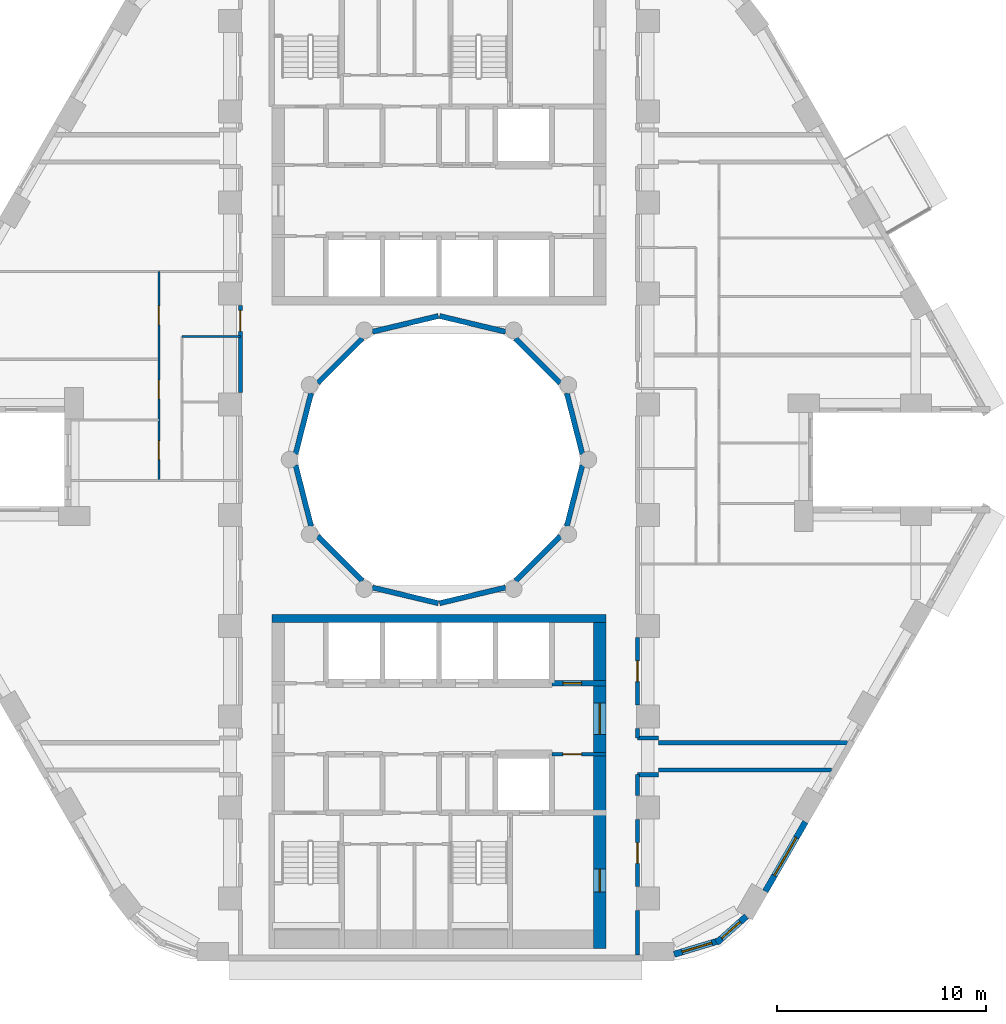
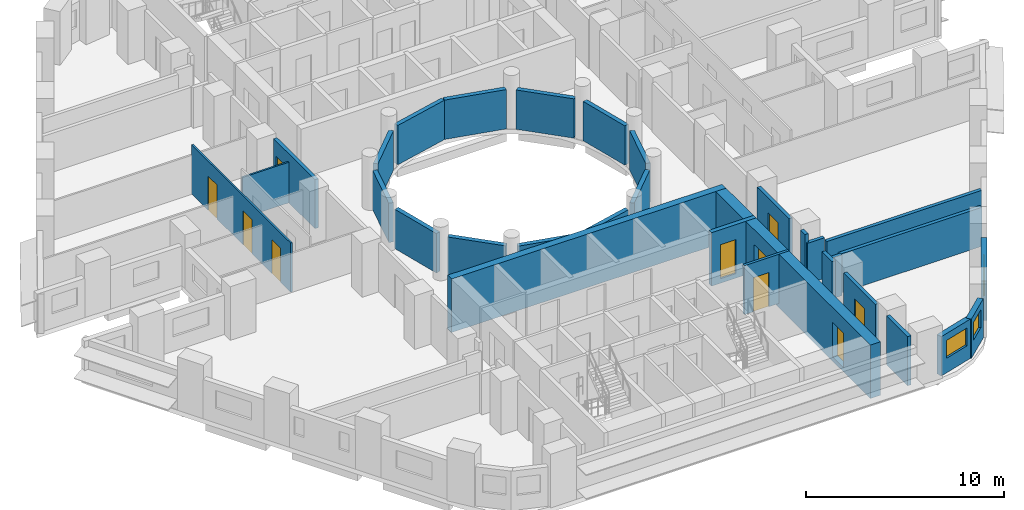
# One storey, part 5 of 13: 31 walls, 10 doors, 3 windows, 13 openings.
"""IFC4 building model written with IfcOpenShell, lengths in metres."""

from ifc_helpers import new_model, si_unit, direction, frame, frame_2d, origin, place, context, subcontext, project, spatial, rectangle, extrude, material, layer, layer_set, type_object, element, fill, save


model = new_model("IFC4")

# Units and contexts
model_context = context("Model", 3, precision=1e-05, world=origin(), true_north=direction((0.0, 1.0)))
body_context = subcontext(model_context, "Body", "Model", "MODEL_VIEW")
ifc_project = project(units=[si_unit("LENGTHUNIT", "METRE"), si_unit("AREAUNIT", "SQUARE_METRE"), si_unit("VOLUMEUNIT", "CUBIC_METRE"), si_unit("PLANEANGLEUNIT", "RADIAN"), si_unit("MASSUNIT", "GRAM", prefix="KILO")], contexts=[model_context])

# Site, building, storey
site_placement = place(None, origin())
site = spatial("IfcSite", under=ifc_project, at=site_placement, CompositionType="ELEMENT")
building_placement = place(site_placement, origin())
building = spatial("IfcBuilding", under=site, at=building_placement, Name="Nakaniwa Court", CompositionType="ELEMENT")
storey_placement = place(building_placement, frame((0.0, 0.0, 64.5)))
storey = spatial("IfcBuildingStorey", under=building, at=storey_placement, Name="L17", CompositionType="ELEMENT", Elevation=64.5)

# Wall
ifc_material_1 = material(Name="Acoustic double stud partition")
ifc_layer_1 = layer(ifc_material_1, 0.199951171875)
ifc_layer_set_1 = layer_set([ifc_layer_1], Name="Acoustic double stud partition")
wall_type_1 = type_object("IfcWallType", Name="Acoustic double stud partition 200", PredefinedType="PARTITIONING", material=ifc_layer_set_1)
wall_1_placement = place(storey_placement, frame((89.5, 56.300048828125, 0.0), z_axis=(0.0, 0.0, 1.0), x_axis=(0.0, 1.0, 0.0)))
element("IfcWall", 1, at=wall_1_placement, inside=storey, type_object=wall_type_1, Name="Partition PW-071", PredefinedType="PARTITIONING", context=body_context, shape_type="SweptSolid", body=[
    extrude(rectangle(XDim=2.133056640625, YDim=0.199951171875, at=frame_2d((1.06640625, 0.0))), origin(), (0.0, 0.0, 1.0), 3.02490234375),
])

# Wall, opening, door
wall_2_placement = place(storey_placement, frame((89.5, 62.782958984375, 0.0), z_axis=(0.0, 0.0, 1.0), x_axis=(0.0, -1.0, 0.0)))
wall_2 = element("IfcWall", 2, at=wall_2_placement, inside=storey, type_object=wall_type_1, Name="Partition PW-072", PredefinedType="PARTITIONING", context=body_context, shape_type="SweptSolid", body=[
    extrude(rectangle(XDim=3.216064453125, YDim=0.199951171875, at=frame_2d((1.60791015625, 0.0))), origin(), (0.0, 0.0, 1.0), 3.02490234375),
])
opening_1_placement = place(wall_2_placement, frame((1.10791015625, 0.0, 0.0)))
opening_1 = element("IfcOpeningElement", 3, at=opening_1_placement, cuts=wall_2, Name="Opening D-02-01", PredefinedType="OPENING", context=body_context, shape_type="SweptSolid", body=[
    extrude(rectangle(XDim=1.0, YDim=2.10009765625, at=frame_2d((0.5, 1.050048828125))), frame((0.0, 0.10986328125, 0.0), z_axis=(0.0, -1.0, 0.0), x_axis=(1.0, 0.0, 0.0)), (0.0, 0.0, 1.0), 0.219970703125),
])
ifc_material_2 = material(Name="Solid core timber door set, black veneer", Category="wood")
door_type_1 = type_object("IfcDoorType", Name="Internal door 1000", OperationType="NOTDEFINED", PredefinedType="DOOR", material=ifc_material_2)
door_1_placement = place(opening_1_placement, origin())
door_1 = element("IfcDoor", 4, at=door_1_placement, inside=storey, type_object=door_type_1, Name="Door D-02-01 L17-029", OperationType="SINGLE_SWING_RIGHT", OverallHeight=2.10009765625, OverallWidth=1.0, PredefinedType="DOOR", context=body_context, shape_type="SweptSolid", body=[
    extrude(rectangle(XDim=1.0, YDim=2.10009765625, at=frame_2d((0.5, 1.050048828125))), frame((0.0, 0.02490234375, 0.0), z_axis=(0.0, -1.0, 0.0), x_axis=(1.0, 0.0, 0.0)), (0.0, 0.0, 1.0), 0.050048828125),
])
fill(opening_1, door_1)

# Walls
wall_3_placement = place(storey_placement, frame((89.5, 63.9169921875, 0.0), z_axis=(0.0, 0.0, 1.0), x_axis=(0.0, 1.0, 0.0)))
element("IfcWall", 5, at=wall_3_placement, inside=storey, type_object=wall_type_1, Name="Partition PW-073", PredefinedType="PARTITIONING", context=body_context, shape_type="SweptSolid", body=[
    extrude(rectangle(XDim=1.010986328125, YDim=0.199951171875, at=frame_2d((0.50537109375, 0.0))), origin(), (0.0, 0.0, 1.0), 3.02490234375),
])
wall_4_placement = place(storey_placement, frame((89.5, 66.672119140625, 0.0), z_axis=(0.0, 0.0, 1.0), x_axis=(0.0, 1.0, 0.0)))
element("IfcWall", 6, at=wall_4_placement, inside=storey, type_object=wall_type_1, Name="Partition PW-074", PredefinedType="PARTITIONING", context=body_context, shape_type="SweptSolid", body=[
    extrude(rectangle(XDim=0.4609375, YDim=0.199951171875, at=frame_2d((0.23046875, 0.0))), origin(), (0.0, 0.0, 1.0), 3.02490234375),
])

# Wall, opening, door
wall_5_placement = place(storey_placement, frame((89.5, 71.48291015625, 0.0), z_axis=(0.0, 0.0, 1.0), x_axis=(0.0, -1.0, 0.0)))
wall_5 = element("IfcWall", 7, at=wall_5_placement, inside=storey, type_object=wall_type_1, Name="Partition PW-075", PredefinedType="PARTITIONING", context=body_context, shape_type="SweptSolid", body=[
    extrude(rectangle(XDim=3.2158203125, YDim=0.199951171875, at=frame_2d((1.60791015625, 0.0))), origin(), (0.0, 0.0, 1.0), 3.02490234375),
])
opening_2_placement = place(wall_5_placement, frame((1.10791015625, 0.0, 0.0)))
opening_2 = element("IfcOpeningElement", 8, at=opening_2_placement, cuts=wall_5, Name="Opening D-02-02", PredefinedType="OPENING", context=body_context, shape_type="SweptSolid", body=[
    extrude(rectangle(XDim=1.0, YDim=2.10009765625, at=frame_2d((0.5, 1.050048828125))), frame((0.0, 0.10986328125, 0.0), z_axis=(0.0, -1.0, 0.0), x_axis=(1.0, 0.0, 0.0)), (0.0, 0.0, 1.0), 0.219970703125),
])
door_2_placement = place(opening_2_placement, origin())
door_2 = element("IfcDoor", 9, at=door_2_placement, inside=storey, type_object=door_type_1, Name="Door D-02-02 L17-030", OperationType="SINGLE_SWING_LEFT", OverallHeight=2.10009765625, OverallWidth=1.0, PredefinedType="DOOR", context=body_context, shape_type="SweptSolid", body=[
    extrude(rectangle(XDim=1.0, YDim=2.10009765625, at=frame_2d((0.5, 1.050048828125))), frame((0.0, 0.02490234375, 0.0), z_axis=(0.0, -1.0, 0.0), x_axis=(1.0, 0.0, 0.0)), (0.0, 0.0, 1.0), 0.050048828125),
])
fill(opening_2, door_2)

# Walls
wall_6_placement = place(storey_placement, frame((90.5, 65.14990234375, 0.0), z_axis=(0.0, 0.0, 1.0), x_axis=(1.0, 0.0, 0.0)))
element("IfcWall", 10, at=wall_6_placement, inside=storey, type_object=wall_type_1, Name="Partition PW-093", PredefinedType="PARTITIONING", context=body_context, shape_type="SweptSolid", body=[
    extrude(rectangle(XDim=8.292724609375, YDim=0.199951171875, at=frame_2d((4.146484375, 0.0))), origin(), (0.0, 0.0, 1.0), 2.405029296875),
])
for number, where, z_axis, x_axis, name in (
    (11, (89.5, 64.925048828125, 0.0), (0.0, 0.0, 1.0), (1.0, 0.0, 0.0), "Partition PW-095"),
    (12, (89.5, 66.675048828125, 0.0), (0.0, 0.0, 1.0), (1.0, 0.0, 0.0), "Partition PW-097"),
):
    element("IfcWall", number, at=place(storey_placement, frame(where, z_axis=z_axis, x_axis=x_axis)), inside=storey, type_object=wall_type_1, Name=name, PredefinedType="PARTITIONING", context=body_context, shape_type="SweptSolid", body=[
        extrude(rectangle(XDim=1.0, YDim=0.199951171875, at=frame_2d((0.5, 0.0))), origin(), (0.0, 0.0, 1.0), 2.5048828125),
    ])
wall_7_placement = place(storey_placement, frame((90.5, 66.449951171875, 0.0), z_axis=(0.0, 0.0, 1.0), x_axis=(1.0, 0.0, 0.0)))
element("IfcWall", 13, at=wall_7_placement, inside=storey, type_object=wall_type_1, Name="Partition PW-099", PredefinedType="PARTITIONING", context=body_context, shape_type="SweptSolid", body=[
    extrude(rectangle(XDim=9.043212890625, YDim=0.199951171875, at=frame_2d((4.521484375, 0.0))), origin(), (0.0, 0.0, 1.0), 2.405029296875),
])

# Wall, opening, door
wall_8_placement = place(storey_placement, frame((70.5, 83.217041015625, 0.0), z_axis=(0.0, 0.0, 1.0), x_axis=(0.0, 1.0, 0.0)))
wall_8 = element("IfcWall", 14, at=wall_8_placement, inside=storey, type_object=wall_type_1, Name="Partition PW-107", PredefinedType="PARTITIONING", context=body_context, shape_type="SweptSolid", body=[
    extrude(rectangle(XDim=4.166015625, YDim=0.199951171875, at=frame_2d((2.0830078125, 0.0))), origin(), (0.0, 0.0, 1.0), 3.02490234375),
])
opening_3_placement = place(wall_8_placement, frame((2.923095703125, 0.0, 0.0)))
opening_3 = element("IfcOpeningElement", 15, at=opening_3_placement, cuts=wall_8, Name="Opening D-01-03", PredefinedType="OPENING", context=body_context, shape_type="SweptSolid", body=[
    extrude(rectangle(XDim=1.0, YDim=2.10009765625, at=frame_2d((0.5, 1.050048828125))), frame((0.0, 0.10986328125, 0.0), z_axis=(0.0, -1.0, 0.0), x_axis=(1.0, 0.0, 0.0)), (0.0, 0.0, 1.0), 0.219970703125),
])
door_type_2 = type_object("IfcDoorType", Name="Flat entrance door 1000", OperationType="NOTDEFINED", PredefinedType="DOOR", material=ifc_material_2)
door_3_placement = place(opening_3_placement, origin())
door_3 = element("IfcDoor", 16, at=door_3_placement, inside=storey, type_object=door_type_2, Name="Door D-01-03 L17-046", OperationType="SINGLE_SWING_LEFT", OverallHeight=2.10009765625, OverallWidth=1.0, PredefinedType="DOOR", context=body_context, shape_type="SweptSolid", body=[
    extrude(rectangle(XDim=1.0, YDim=2.10009765625, at=frame_2d((0.5, 1.050048828125))), frame((0.0, 0.02490234375, 0.0), z_axis=(0.0, -1.0, 0.0), x_axis=(1.0, 0.0, 0.0)), (0.0, 0.0, 1.0), 0.050048828125),
])
fill(opening_3, door_3)

# Wall, opening, window
ifc_material_3 = material(Name="Charcoal ceramic cladding")
ifc_layer_2 = layer(ifc_material_3, 0.02, Name="Ceramic cladding")
ifc_material_4 = material(Name="Ventilated air cavity")
ifc_layer_3 = layer(ifc_material_4, 0.04, ventilated=True, Name="Ventilated cavity")
ifc_material_5 = material(Name="Mineral wool insulation")
ifc_layer_4 = layer(ifc_material_5, 0.1, Name="Insulation")
ifc_material_6 = material(Name="Cement bonded sheathing board")
ifc_layer_5 = layer(ifc_material_6, 0.012, Name="Sheathing")
ifc_material_7 = material(Name="Cold-formed galvanised stud frame with mineral wool infill")
ifc_layer_6 = layer(ifc_material_7, 0.1, Name="Stud frame")
ifc_material_8 = material(Name="Fire-rated gypsum plasterboard lining")
ifc_layer_7 = layer(ifc_material_8, 0.028, Name="Lining")
ifc_layer_set_2 = layer_set([ifc_layer_2, ifc_layer_3, ifc_layer_4, ifc_layer_5, ifc_layer_6, ifc_layer_7], Name="Charcoal ceramic faced external wall system")
wall_type_2 = type_object("IfcWallType", Name="Black ceramic faced external wall 300", PredefinedType="SOLIDWALL", material=ifc_layer_set_2)
wall_9_placement = place(storey_placement, frame((91.25341796875, 56.331298828125, 0.0), z_axis=(0.0, 0.0, 1.0), x_axis=(0.957433631901, 0.288653495569, 0.0)))
wall_9 = element("IfcWall", 17, at=wall_9_placement, inside=storey, type_object=wall_type_2, Name="L17 external wall 27", PredefinedType="SOLIDWALL", context=body_context, shape_type="SweptSolid", body=[
    extrude(rectangle(XDim=2.212646484375, YDim=0.300048828125, at=frame_2d((1.1064453125, 0.0))), origin(), (0.0, 0.0, 1.0), 2.425048828125),
])
opening_4_placement = place(wall_9_placement, frame((0.394287109375, 0.0, 0.89990234375)))
opening_4 = element("IfcOpeningElement", 18, at=opening_4_placement, cuts=wall_9, Name="Opening W5.29", PredefinedType="OPENING", context=body_context, shape_type="SweptSolid", body=[
    extrude(rectangle(XDim=1.5, YDim=1.10009765625, at=frame_2d((0.75, 0.550048828125))), frame((0.0, 0.159912109375, 0.0), z_axis=(0.0, -1.0, 0.0), x_axis=(1.0, 0.0, 0.0)), (0.0, 0.0, 1.0), 0.320068359375),
])
ifc_material_9 = material(Name="Black anodised aluminium frame with dark low-E laminated double glazing", Category="aluminium")
window_type_1 = type_object("IfcWindowType", Name="Dark glass window 1500x1100 sill 900", PartitioningType="SINGLE_PANEL", PredefinedType="WINDOW", material=ifc_material_9)
window_1_placement = place(opening_4_placement, origin())
window_1 = element("IfcWindow", 19, at=window_1_placement, inside=storey, type_object=window_type_1, Name="L17 habitable room window 27-0", OverallHeight=1.10009765625, OverallWidth=1.5, PartitioningType="SINGLE_PANEL", PredefinedType="WINDOW", context=body_context, shape_type="SweptSolid", body=[
    extrude(rectangle(XDim=1.5, YDim=1.10009765625, at=frame_2d((0.75, 0.550048828125))), frame((0.0, 0.030029296875, 0.0), z_axis=(0.0, -1.0, 0.0), x_axis=(1.0, 0.0, 0.0)), (0.0, 0.0, 1.0), 0.06005859375),
])
fill(opening_4, window_1)

wall_10_placement = place(storey_placement, frame((93.288818359375, 56.882568359375, 0.0), z_axis=(0.0, 0.0, 1.0), x_axis=(0.746941556212, 0.664889698825, 0.0)))
wall_10 = element("IfcWall", 20, at=wall_10_placement, inside=storey, type_object=wall_type_2, Name="L17 external wall 28", PredefinedType="SOLIDWALL", context=body_context, shape_type="SweptSolid", body=[
    extrude(rectangle(XDim=1.9013671875, YDim=0.300048828125, at=frame_2d((0.95068359375, 0.0))), origin(), (0.0, 0.0, 1.0), 2.425048828125),
])
opening_5_placement = place(wall_10_placement, frame((0.31005859375, 0.0, 0.89990234375)))
opening_5 = element("IfcOpeningElement", 21, at=opening_5_placement, cuts=wall_10, Name="Opening W6.30", PredefinedType="OPENING", context=body_context, shape_type="SweptSolid", body=[
    extrude(rectangle(XDim=1.199951171875, YDim=1.10009765625, at=frame_2d((0.60009765625, 0.550048828125))), frame((0.0, 0.159912109375, 0.0), z_axis=(0.0, -1.0, 0.0), x_axis=(1.0, 0.0, 0.0)), (0.0, 0.0, 1.0), 0.320068359375),
])
window_type_2 = type_object("IfcWindowType", Name="Dark glass window 1200x1100 sill 900", PartitioningType="SINGLE_PANEL", PredefinedType="WINDOW", material=ifc_material_9)
window_2_placement = place(opening_5_placement, origin())
window_2 = element("IfcWindow", 22, at=window_2_placement, inside=storey, type_object=window_type_2, Name="L17 habitable room window 28-0", OverallHeight=1.10009765625, OverallWidth=1.199951171875, PartitioningType="SINGLE_PANEL", PredefinedType="WINDOW", context=body_context, shape_type="SweptSolid", body=[
    extrude(rectangle(XDim=1.199951171875, YDim=1.10009765625, at=frame_2d((0.60009765625, 0.550048828125))), frame((0.0, 0.030029296875, 0.0), z_axis=(0.0, -1.0, 0.0), x_axis=(1.0, 0.0, 0.0)), (0.0, 0.0, 1.0), 0.06005859375),
])
fill(opening_5, window_2)

wall_11_placement = place(storey_placement, frame((95.615234375, 59.346435546875, 0.0), z_axis=(0.0, 0.0, 1.0), x_axis=(0.499974163209, 0.866040320149, 0.0)))
wall_11 = element("IfcWall", 23, at=wall_11_placement, inside=storey, type_object=wall_type_2, Name="L17 external wall 29", PredefinedType="SOLIDWALL", context=body_context, shape_type="SweptSolid", body=[
    extrude(rectangle(XDim=3.834228515625, YDim=0.300048828125, at=frame_2d((1.9169921875, 0.0))), origin(), (0.0, 0.0, 1.0), 2.425048828125),
])
opening_6_placement = place(wall_11_placement, frame((0.866943359375, 0.0, 0.89990234375)))
opening_6 = element("IfcOpeningElement", 24, at=opening_6_placement, cuts=wall_11, Name="Opening W7.31", PredefinedType="OPENING", context=body_context, shape_type="SweptSolid", body=[
    extrude(rectangle(XDim=2.10009765625, YDim=1.10009765625, at=frame_2d((1.050048828125, 0.550048828125))), frame((0.0, 0.159912109375, 0.0), z_axis=(0.0, -1.0, 0.0), x_axis=(1.0, 0.0, 0.0)), (0.0, 0.0, 1.0), 0.320068359375),
])
window_type_3 = type_object("IfcWindowType", Name="Dark glass window 2100x1100 sill 900", PartitioningType="SINGLE_PANEL", PredefinedType="WINDOW", material=ifc_material_9)
window_3_placement = place(opening_6_placement, origin())
window_3 = element("IfcWindow", 25, at=window_3_placement, inside=storey, type_object=window_type_3, Name="L17 habitable room window 29-0", OverallHeight=1.10009765625, OverallWidth=2.10009765625, PartitioningType="SINGLE_PANEL", PredefinedType="WINDOW", context=body_context, shape_type="SweptSolid", body=[
    extrude(rectangle(XDim=2.10009765625, YDim=1.10009765625, at=frame_2d((1.050048828125, 0.550048828125))), frame((0.0, 0.030029296875, 0.0), z_axis=(0.0, -1.0, 0.0), x_axis=(1.0, 0.0, 0.0)), (0.0, 0.0, 1.0), 0.06005859375),
])
fill(opening_6, window_3)

# Wall, opening, door
ifc_material_10 = material(Name="Blockwork partition", Category="masonry")
ifc_layer_8 = layer(ifc_material_10, 0.14990234375)
ifc_layer_set_3 = layer_set([ifc_layer_8], Name="Blockwork partition")
wall_type_3 = type_object("IfcWallType", Name="Blockwork partition 150", PredefinedType="PARTITIONING", material=ifc_layer_set_3)
wall_12_placement = place(storey_placement, frame((88.0, 65.89990234375, 0.0), z_axis=(0.0, 0.0, 1.0), x_axis=(-1.0, 0.0, 0.0)))
wall_12 = element("IfcWall", 26, at=wall_12_placement, inside=storey, type_object=wall_type_3, Name="Partition PW-053", PredefinedType="PARTITIONING", context=body_context, shape_type="SweptSolid", body=[
    extrude(rectangle(XDim=2.60302734375, YDim=0.14990234375, at=frame_2d((1.301513671875, 0.0))), origin(), (0.0, 0.0, 1.0), 3.02490234375),
])
opening_7_placement = place(wall_12_placement, frame((1.175048828125, 0.0, 0.0)))
opening_7 = element("IfcOpeningElement", 27, at=opening_7_placement, cuts=wall_12, Name="Opening D-05-15", PredefinedType="OPENING", context=body_context, shape_type="SweptSolid", body=[
    extrude(rectangle(XDim=0.89990234375, YDim=2.10009765625, at=frame_2d((0.449951171875, 1.050048828125))), frame((0.0, 0.0849609375, 0.0), z_axis=(0.0, -1.0, 0.0), x_axis=(1.0, 0.0, 0.0)), (0.0, 0.0, 1.0), 0.169921875),
])
ifc_material_11 = material(Name="Fire rated steel door set", Category="steel")
door_type_3 = type_object("IfcDoorType", Name="Service room door 900", OperationType="NOTDEFINED", PredefinedType="DOOR", material=ifc_material_11)
door_4_placement = place(opening_7_placement, origin())
door_4 = element("IfcDoor", 28, at=door_4_placement, inside=storey, type_object=door_type_3, Name="Door D-05-15 L17-022", OperationType="SINGLE_SWING_LEFT", OverallHeight=2.10009765625, OverallWidth=0.89990234375, PredefinedType="DOOR", context=body_context, shape_type="SweptSolid", body=[
    extrude(rectangle(XDim=0.89990234375, YDim=2.10009765625, at=frame_2d((0.449951171875, 1.050048828125))), frame((0.0, 0.02490234375, 0.0), z_axis=(0.0, -1.0, 0.0), x_axis=(1.0, 0.0, 0.0)), (0.0, 0.0, 1.0), 0.050048828125),
])
fill(opening_7, door_4)

# Walls
ifc_layer_9 = layer(ifc_material_3, 0.02, Name="Ceramic cladding")
ifc_layer_10 = layer(ifc_material_4, 0.04, ventilated=True, Name="Ventilated cavity")
ifc_layer_11 = layer(ifc_material_5, 0.075, Name="Insulation")
ifc_layer_12 = layer(ifc_material_6, 0.012, Name="Sheathing")
ifc_layer_13 = layer(ifc_material_7, 0.075, Name="Stud frame")
ifc_layer_14 = layer(ifc_material_8, 0.028, Name="Lining")
ifc_layer_set_4 = layer_set([ifc_layer_9, ifc_layer_10, ifc_layer_11, ifc_layer_12, ifc_layer_13, ifc_layer_14], Name="Charcoal ceramic faced external wall system")
wall_type_4 = type_object("IfcWallType", Name="Charcoal ceramic faced well wall 250", PredefinedType="SOLIDWALL", material=ifc_layer_set_4)
wall_13_placement = place(storey_placement, frame((86.8603515625, 79.72998046875, 0.0), z_axis=(0.0, 0.0, 1.0), x_axis=(-0.247055971283, -0.969001211069, 0.0)))
element("IfcWall", 29, at=wall_13_placement, inside=storey, type_object=wall_type_4, Name="L17 external wall 36", PredefinedType="SOLIDWALL", context=body_context, shape_type="SweptSolid", body=[
    extrude(rectangle(XDim=3.010009765625, YDim=0.25, at=frame_2d((1.5048828125, 0.0))), origin(), (0.0, 0.0, 1.0), 2.425048828125),
])
wall_14_placement = place(storey_placement, frame((85.8056640625, 76.339111328125, 0.0), z_axis=(0.0, 0.0, 1.0), x_axis=(-0.707106781187, -0.707106781187, 0.0)))
element("IfcWall", 30, at=wall_14_placement, inside=storey, type_object=wall_type_4, Name="L17 external wall 37", PredefinedType="SOLIDWALL", context=body_context, shape_type="SweptSolid", body=[
    extrude(rectangle(XDim=3.033203125, YDim=0.25, at=frame_2d((1.5166015625, 0.0))), origin(), (0.0, 0.0, 1.0), 2.425048828125),
])
for number, where, z_axis, x_axis, name in (
    (31, (83.186279296875, 73.880615234375, 0.0), (0.0, 0.0, 1.0), (-0.972773113459, -0.231759508395, 0.0), "L17 external wall 38"),
    (32, (79.970947265625, 73.12841796875, 0.0), (0.0, 0.0, 1.0), (-0.972773113459, 0.231759508395, 0.0), "L17 external wall 39"),
):
    element("IfcWall", number, at=place(storey_placement, frame(where, z_axis=z_axis, x_axis=x_axis)), inside=storey, type_object=wall_type_4, Name=name, PredefinedType="SOLIDWALL", context=body_context, shape_type="SweptSolid", body=[
        extrude(rectangle(XDim=3.24560546875, YDim=0.25, at=frame_2d((1.622802734375, 0.0))), origin(), (0.0, 0.0, 1.0), 2.425048828125),
    ])
wall_15_placement = place(storey_placement, frame((76.339111328125, 74.1943359375, 0.0), z_axis=(0.0, 0.0, 1.0), x_axis=(-0.707106781187, 0.707106781187, 0.0)))
element("IfcWall", 33, at=wall_15_placement, inside=storey, type_object=wall_type_4, Name="L17 external wall 40", PredefinedType="SOLIDWALL", context=body_context, shape_type="SweptSolid", body=[
    extrude(rectangle(XDim=3.033203125, YDim=0.25, at=frame_2d((1.5166015625, 0.0))), origin(), (0.0, 0.0, 1.0), 2.425048828125),
])
for number, where, z_axis, x_axis, name in (
    (34, (73.88330078125, 76.813232421875, 0.0), (0.0, 0.0, 1.0), (-0.247055971283, 0.969001211069, 0.0), "L17 external wall 41"),
    (35, (73.1396484375, 80.27001953125, 0.0), (0.0, 0.0, 1.0), (0.247055971283, 0.969001211069, 0.0), "L17 external wall 42"),
):
    element("IfcWall", number, at=place(storey_placement, frame(where, z_axis=z_axis, x_axis=x_axis)), inside=storey, type_object=wall_type_4, Name=name, PredefinedType="SOLIDWALL", context=body_context, shape_type="SweptSolid", body=[
        extrude(rectangle(XDim=3.010009765625, YDim=0.25, at=frame_2d((1.5048828125, 0.0))), origin(), (0.0, 0.0, 1.0), 2.425048828125),
    ])
wall_16_placement = place(storey_placement, frame((74.1943359375, 83.660888671875, 0.0), z_axis=(0.0, 0.0, 1.0), x_axis=(0.707106781187, 0.707106781187, 0.0)))
element("IfcWall", 36, at=wall_16_placement, inside=storey, type_object=wall_type_4, Name="L17 external wall 43", PredefinedType="SOLIDWALL", context=body_context, shape_type="SweptSolid", body=[
    extrude(rectangle(XDim=3.033203125, YDim=0.25, at=frame_2d((1.5166015625, 0.0))), origin(), (0.0, 0.0, 1.0), 2.425048828125),
])
for number, where, z_axis, x_axis, name in (
    (37, (76.813720703125, 86.119384765625, 0.0), (0.0, 0.0, 1.0), (0.972773113459, 0.231759508395, 0.0), "L17 external wall 44"),
    (38, (80.029052734375, 86.87158203125, 0.0), (0.0, 0.0, 1.0), (0.972773113459, -0.231759508395, 0.0), "L17 external wall 45"),
):
    element("IfcWall", number, at=place(storey_placement, frame(where, z_axis=z_axis, x_axis=x_axis)), inside=storey, type_object=wall_type_4, Name=name, PredefinedType="SOLIDWALL", context=body_context, shape_type="SweptSolid", body=[
        extrude(rectangle(XDim=3.24560546875, YDim=0.25, at=frame_2d((1.622802734375, 0.0))), origin(), (0.0, 0.0, 1.0), 2.425048828125),
    ])
wall_17_placement = place(storey_placement, frame((83.660888671875, 85.8056640625, 0.0), z_axis=(0.0, 0.0, 1.0), x_axis=(0.707106781187, -0.707106781187, 0.0)))
element("IfcWall", 39, at=wall_17_placement, inside=storey, type_object=wall_type_4, Name="L17 external wall 46", PredefinedType="SOLIDWALL", context=body_context, shape_type="SweptSolid", body=[
    extrude(rectangle(XDim=3.033203125, YDim=0.25, at=frame_2d((1.5166015625, 0.0))), origin(), (0.0, 0.0, 1.0), 2.425048828125),
])
wall_18_placement = place(storey_placement, frame((86.11669921875, 83.186767578125, 0.0), z_axis=(0.0, 0.0, 1.0), x_axis=(0.247055971283, -0.969001211069, 0.0)))
element("IfcWall", 40, at=wall_18_placement, inside=storey, type_object=wall_type_4, Name="L17 external wall 47", PredefinedType="SOLIDWALL", context=body_context, shape_type="SweptSolid", body=[
    extrude(rectangle(XDim=3.010009765625, YDim=0.25, at=frame_2d((1.5048828125, 0.0))), origin(), (0.0, 0.0, 1.0), 2.425048828125),
])

# Wall, openings, doors
ifc_material_12 = material(Name="Concrete C100/115", Category="concrete")
ifc_layer_15 = layer(ifc_material_12, 0.60009765625)
ifc_layer_set_5 = layer_set([ifc_layer_15], Name="Concrete C100/115")
wall_type_5 = type_object("IfcWallType", Name="Concrete core side wall 600 C100", PredefinedType="SHEAR", material=ifc_layer_set_5)
wall_19_placement = place(storey_placement, frame((87.699951171875, 72.199951171875, -0.27490234375), z_axis=(0.0, 0.0, 1.0), x_axis=(0.0, -1.0, 0.0)))
wall_19 = element("IfcWall", 41, at=wall_19_placement, inside=storey, type_object=wall_type_5, Name="Core wall SW-50", PredefinedType="SHEAR", context=body_context, shape_type="SweptSolid", body=[
    extrude(rectangle(XDim=15.599853515625, YDim=0.60009765625, at=frame_2d((7.7998046875, 0.0))), origin(), (0.0, 0.0, 1.0), 3.2998046875),
])
opening_8_placement = place(wall_19_placement, frame((3.85009765625, 0.0, 0.27490234375)))
opening_8 = element("IfcOpeningElement", 42, at=opening_8_placement, cuts=wall_19, Name="Opening D-07-03", PredefinedType="OPENING", context=body_context, shape_type="SweptSolid", body=[
    extrude(rectangle(XDim=1.5, YDim=2.10009765625, at=frame_2d((0.75, 1.050048828125))), frame((0.0, 0.31005859375, 0.0), z_axis=(0.0, -1.0, 0.0), x_axis=(1.0, 0.0, 0.0)), (0.0, 0.0, 1.0), 0.6201171875),
])
opening_9_placement = place(wall_19_placement, frame((11.800048828125, 0.0, 0.27490234375)))
opening_9 = element("IfcOpeningElement", 43, at=opening_9_placement, cuts=wall_19, Name="Opening D-10-02", PredefinedType="OPENING", context=body_context, shape_type="SweptSolid", body=[
    extrude(rectangle(XDim=1.10009765625, YDim=2.10009765625, at=frame_2d((0.550048828125, 1.050048828125))), frame((0.0, 0.31005859375, 0.0), z_axis=(0.0, -1.0, 0.0), x_axis=(1.0, 0.0, 0.0)), (0.0, 0.0, 1.0), 0.6201171875),
])
door_type_4 = type_object("IfcDoorType", Name="Firefighting lobby door 1100", OperationType="NOTDEFINED", PredefinedType="DOOR", material=ifc_material_11)
door_5_placement = place(opening_9_placement, origin())
door_5 = element("IfcDoor", 44, at=door_5_placement, inside=storey, type_object=door_type_4, Name="Door D-10-02 L17-059", OperationType="SINGLE_SWING_RIGHT", OverallHeight=2.10009765625, OverallWidth=1.10009765625, PredefinedType="DOOR", context=body_context, shape_type="SweptSolid", body=[
    extrude(rectangle(XDim=1.10009765625, YDim=2.10009765625, at=frame_2d((0.550048828125, 1.050048828125))), frame((0.0, 0.02490234375, 0.0), z_axis=(0.0, -1.0, 0.0), x_axis=(1.0, 0.0, 0.0)), (0.0, 0.0, 1.0), 0.050048828125),
])
fill(opening_9, door_5)
ifc_material_13 = material(Name="Glazed fire rated steel double door set", Category="steel")
door_type_5 = type_object("IfcDoorType", Name="Lobby double door 1500", OperationType="NOTDEFINED", PredefinedType="DOOR", material=ifc_material_13)
door_6_placement = place(opening_8_placement, origin())
door_6 = element("IfcDoor", 45, at=door_6_placement, inside=storey, type_object=door_type_5, Name="Door D-07-03 L17-057", OperationType="DOUBLE_DOOR_SINGLE_SWING", OverallHeight=2.10009765625, OverallWidth=1.5, PredefinedType="DOOR", context=body_context, shape_type="SweptSolid", body=[
    extrude(rectangle(XDim=1.5, YDim=2.10009765625, at=frame_2d((0.75, 1.050048828125))), frame((0.0, 0.02490234375, 0.0), z_axis=(0.0, -1.0, 0.0), x_axis=(1.0, 0.0, 0.0)), (0.0, 0.0, 1.0), 0.050048828125),
])
fill(opening_8, door_6)

# Wall
ifc_layer_16 = layer(ifc_material_12, 0.39990234375)
ifc_layer_set_6 = layer_set([ifc_layer_16], Name="Concrete C100/115")
wall_type_6 = type_object("IfcWallType", Name="Concrete core well wall 400 C100", PredefinedType="SHEAR", material=ifc_layer_set_6)
wall_20_placement = place(storey_placement, frame((72.00390625, 72.39990234375, -0.27490234375), z_axis=(0.0, 0.0, 1.0), x_axis=(1.0, 0.0, 0.0)))
element("IfcWall", 46, at=wall_20_placement, inside=storey, type_object=wall_type_6, Name="Core wall SW-136", PredefinedType="SHEAR", context=body_context, shape_type="SweptSolid", body=[
    extrude(rectangle(XDim=15.9921875, YDim=0.39990234375, at=frame_2d((7.99609375, 0.0))), origin(), (0.0, 0.0, 1.0), 3.2998046875),
])

# Wall, opening, door
ifc_layer_17 = layer(ifc_material_12, 0.25)
ifc_layer_set_7 = layer_set([ifc_layer_17], Name="Concrete C100/115")
wall_type_7 = type_object("IfcWallType", Name="Concrete shaft wall 250 C100", PredefinedType="SHEAR", material=ifc_layer_set_7)
wall_21_placement = place(storey_placement, frame((85.39990234375, 69.300048828125, -0.27490234375), z_axis=(0.0, 0.0, 1.0), x_axis=(1.0, 0.0, 0.0)))
wall_21 = element("IfcWall", 47, at=wall_21_placement, inside=storey, type_object=wall_type_7, Name="Core wall SW-49", PredefinedType="SHEAR", context=body_context, shape_type="SweptSolid", body=[
    extrude(rectangle(XDim=2.60009765625, YDim=0.25, at=frame_2d((1.300048828125, 0.0))), origin(), (0.0, 0.0, 1.0), 3.2998046875),
])
opening_10_placement = place(wall_21_placement, frame((0.52490234375, 0.0, 0.27490234375)))
opening_10 = element("IfcOpeningElement", 48, at=opening_10_placement, cuts=wall_21, Name="Opening D-05-11", PredefinedType="OPENING", context=body_context, shape_type="SweptSolid", body=[
    extrude(rectangle(XDim=0.89990234375, YDim=2.10009765625, at=frame_2d((0.449951171875, 1.050048828125))), frame((0.0, 0.135009765625, 0.0), z_axis=(0.0, -1.0, 0.0), x_axis=(1.0, 0.0, 0.0)), (0.0, 0.0, 1.0), 0.27001953125),
])
door_7_placement = place(opening_10_placement, origin())
door_7 = element("IfcDoor", 49, at=door_7_placement, inside=storey, type_object=door_type_3, Name="Door D-05-11 L17-016", OperationType="SINGLE_SWING_LEFT", OverallHeight=2.10009765625, OverallWidth=0.89990234375, PredefinedType="DOOR", context=body_context, shape_type="SweptSolid", body=[
    extrude(rectangle(XDim=0.89990234375, YDim=2.10009765625, at=frame_2d((0.449951171875, 1.050048828125))), frame((0.0, 0.02490234375, 0.0), z_axis=(0.0, -1.0, 0.0), x_axis=(1.0, 0.0, 0.0)), (0.0, 0.0, 1.0), 0.050048828125),
])
fill(opening_10, door_7)

# Wall
ifc_material_14 = material(Name="Single stud plasterboard partition")
ifc_layer_18 = layer(ifc_material_14, 0.10009765625)
ifc_layer_set_8 = layer_set([ifc_layer_18], Name="Single stud plasterboard partition")
wall_type_8 = type_object("IfcWallType", Name="Single stud plasterboard partition 100", PredefinedType="PARTITIONING", material=ifc_layer_set_8)
wall_22_placement = place(storey_placement, frame((67.699951171875, 85.89990234375, 0.0), z_axis=(0.0, 0.0, 1.0), x_axis=(1.0, 0.0, 0.0)))
element("IfcWall", 50, at=wall_22_placement, inside=storey, type_object=wall_type_8, Name="Partition PW-129", PredefinedType="PARTITIONING", context=body_context, shape_type="SweptSolid", body=[
    extrude(rectangle(XDim=2.800048828125, YDim=0.10009765625, at=frame_2d((1.39990234375, 0.0))), origin(), (0.0, 0.0, 1.0), 2.5048828125),
])

# Wall, openings, doors
wall_23_placement = place(storey_placement, frame((66.60009765625, 79.0, 0.0), z_axis=(0.0, 0.0, 1.0), x_axis=(0.0, 1.0, 0.0)))
wall_23 = element("IfcWall", 51, at=wall_23_placement, inside=storey, type_object=wall_type_8, Name="Partition PW-130", PredefinedType="PARTITIONING", context=body_context, shape_type="SweptSolid", body=[
    extrude(rectangle(XDim=10.0, YDim=0.10009765625, at=frame_2d((5.0, 0.0))), origin(), (0.0, 0.0, 1.0), 3.02490234375),
])
opening_11_placement = place(wall_23_placement, frame((1.001953125, 0.0, 0.0)))
opening_11 = element("IfcOpeningElement", 52, at=opening_11_placement, cuts=wall_23, Name="Opening D-33-10", PredefinedType="OPENING", context=body_context, shape_type="SweptSolid", body=[
    extrude(rectangle(XDim=0.89990234375, YDim=2.10009765625, at=frame_2d((0.449951171875, 1.050048828125))), frame((0.0, 0.06005859375, 0.0), z_axis=(0.0, -1.0, 0.0), x_axis=(1.0, 0.0, 0.0)), (0.0, 0.0, 1.0), 0.1201171875),
])
opening_12_placement = place(wall_23_placement, frame((3.905029296875, 0.0, 0.0)))
opening_12 = element("IfcOpeningElement", 53, at=opening_12_placement, cuts=wall_23, Name="Opening D-33-11", PredefinedType="OPENING", context=body_context, shape_type="SweptSolid", body=[
    extrude(rectangle(XDim=0.89990234375, YDim=2.10009765625, at=frame_2d((0.449951171875, 1.050048828125))), frame((0.0, 0.06005859375, 0.0), z_axis=(0.0, -1.0, 0.0), x_axis=(1.0, 0.0, 0.0)), (0.0, 0.0, 1.0), 0.1201171875),
])
opening_13_placement = place(wall_23_placement, frame((7.452880859375, 0.0, 0.0)))
opening_13 = element("IfcOpeningElement", 54, at=opening_13_placement, cuts=wall_23, Name="Opening D-33-12", PredefinedType="OPENING", context=body_context, shape_type="SweptSolid", body=[
    extrude(rectangle(XDim=0.89990234375, YDim=2.10009765625, at=frame_2d((0.449951171875, 1.050048828125))), frame((0.0, 0.06005859375, 0.0), z_axis=(0.0, -1.0, 0.0), x_axis=(1.0, 0.0, 0.0)), (0.0, 0.0, 1.0), 0.1201171875),
])
door_type_6 = type_object("IfcDoorType", Name="Internal door 900", OperationType="NOTDEFINED", PredefinedType="DOOR", material=ifc_material_2)
door_8_placement = place(opening_11_placement, origin())
door_8 = element("IfcDoor", 55, at=door_8_placement, inside=storey, type_object=door_type_6, Name="Door D-33-10 L17-049", OperationType="SINGLE_SWING_RIGHT", OverallHeight=2.10009765625, OverallWidth=0.89990234375, PredefinedType="DOOR", context=body_context, shape_type="SweptSolid", body=[
    extrude(rectangle(XDim=0.89990234375, YDim=2.10009765625, at=frame_2d((0.449951171875, 1.050048828125))), frame((0.0, 0.02490234375, 0.0), z_axis=(0.0, -1.0, 0.0), x_axis=(1.0, 0.0, 0.0)), (0.0, 0.0, 1.0), 0.050048828125),
])
fill(opening_11, door_8)
door_9_placement = place(opening_12_placement, origin())
door_9 = element("IfcDoor", 56, at=door_9_placement, inside=storey, type_object=door_type_6, Name="Door D-33-11 L17-050", OperationType="SINGLE_SWING_LEFT", OverallHeight=2.10009765625, OverallWidth=0.89990234375, PredefinedType="DOOR", context=body_context, shape_type="SweptSolid", body=[
    extrude(rectangle(XDim=0.89990234375, YDim=2.10009765625, at=frame_2d((0.449951171875, 1.050048828125))), frame((0.0, 0.02490234375, 0.0), z_axis=(0.0, -1.0, 0.0), x_axis=(1.0, 0.0, 0.0)), (0.0, 0.0, 1.0), 0.050048828125),
])
fill(opening_12, door_9)
door_10_placement = place(opening_13_placement, origin())
door_10 = element("IfcDoor", 57, at=door_10_placement, inside=storey, type_object=door_type_6, Name="Door D-33-12 L17-051", OperationType="SINGLE_SWING_RIGHT", OverallHeight=2.10009765625, OverallWidth=0.89990234375, PredefinedType="DOOR", context=body_context, shape_type="SweptSolid", body=[
    extrude(rectangle(XDim=0.89990234375, YDim=2.10009765625, at=frame_2d((0.449951171875, 1.050048828125))), frame((0.0, 0.02490234375, 0.0), z_axis=(0.0, -1.0, 0.0), x_axis=(1.0, 0.0, 0.0)), (0.0, 0.0, 1.0), 0.050048828125),
])
fill(opening_13, door_10)

save(model, "model.ifc")
